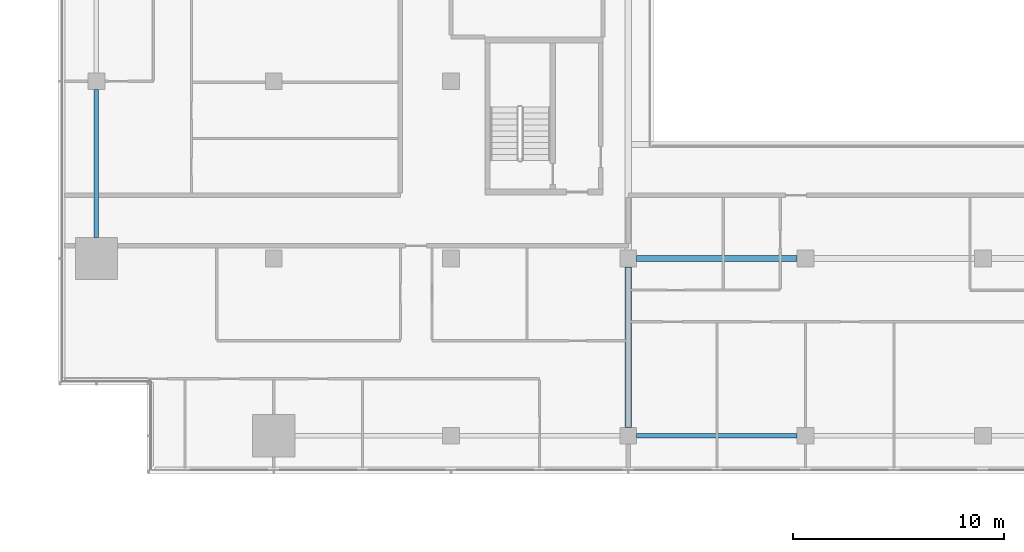
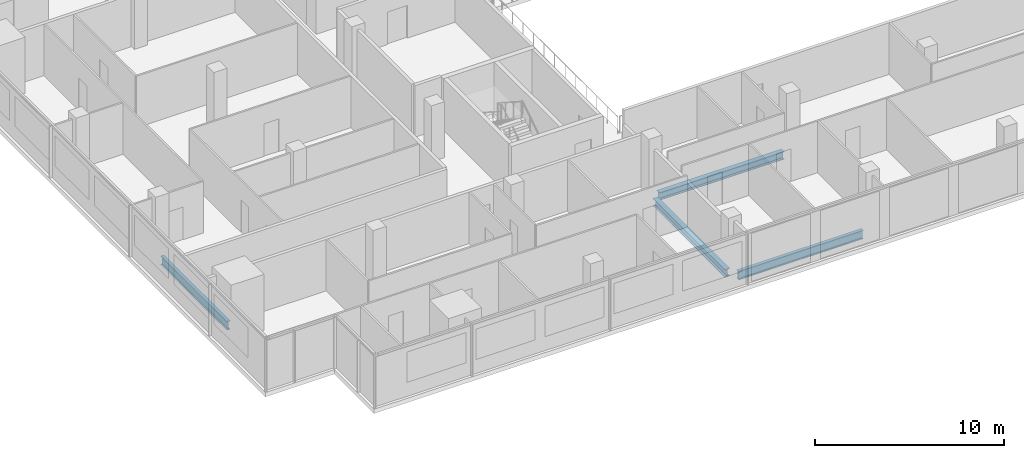
# One storey, part 3 of 30: 4 beams.
"""IFC4 building model written with IfcOpenShell, lengths in metres."""

from ifc_helpers import new_model, si_unit, direction, frame, origin, origin_2d, place, context, subcontext, project, spatial, i_section, extrude, material, material_profile, profile_set, type_object, element, save


model = new_model("IFC4")

# Units and contexts
model_context = context("Model", 3, precision=1e-05, world=origin(), true_north=direction((0.0, 1.0)))
body_context = subcontext(model_context, "Body", "Model", "MODEL_VIEW")
ifc_project = project(units=[si_unit("LENGTHUNIT", "METRE"), si_unit("AREAUNIT", "SQUARE_METRE"), si_unit("VOLUMEUNIT", "CUBIC_METRE"), si_unit("PLANEANGLEUNIT", "RADIAN"), si_unit("MASSUNIT", "GRAM", prefix="KILO")], contexts=[model_context])

# Site, building, storey
site_placement = place(None, origin())
site = spatial("IfcSite", under=ifc_project, at=site_placement, CompositionType="ELEMENT")
building_placement = place(site_placement, origin())
building = spatial("IfcBuilding", under=site, at=building_placement, Name="Saffron Gate Tower", CompositionType="ELEMENT")
storey_placement = place(building_placement, frame((0.0, 0.0, 127.64990234375)))
storey = spatial("IfcBuildingStorey", under=building, at=storey_placement, Name="L30", CompositionType="ELEMENT", Elevation=127.64990234375)

# Beams
ifc_material = material(Name="Structural steel S355", Category="steel")
ifc_material_profile_1 = material_profile(ifc_material, i_section(OverallWidth=0.2099609375, OverallDepth=0.550048828125, WebThickness=0.010986328125, FlangeThickness=0.01708984375, FilletRadius=0.02392578125, at=origin_2d()))
ifc_profile_set_1 = profile_set([ifc_material_profile_1], Name="Structural steel S355")
beam_type_1 = type_object("IfcBeamType", Name="B13 IPE 550", PredefinedType="SPANDREL", material=ifc_profile_set_1)
beam_1_placement = place(storey_placement, frame((49.800048828125, 41.199951171875, -0.554931640625), z_axis=(0.0, 1.0, 0.0), x_axis=(-1.0, 0.0, 0.0)))
element("IfcBeam", 1, at=beam_1_placement, inside=storey, type_object=beam_type_1, Name="B13 SPANDREL BEAM", PredefinedType="SPANDREL", context=body_context, shape_type="SweptSolid", body=[
    extrude(i_section(OverallWidth=0.2099609375, OverallDepth=0.550048828125, WebThickness=0.010986328125, FlangeThickness=0.01708984375, FilletRadius=0.02392578125, at=origin_2d()), origin(), (0.0, 0.0, 1.0), 7.0),
])
beam_2_placement = place(storey_placement, frame((75.39990234375, 31.800048828125, -0.554931640625), z_axis=(1.0, 0.0, 0.0), x_axis=(0.0, 1.0, 0.0)))
element("IfcBeam", 2, at=beam_2_placement, inside=storey, type_object=beam_type_1, Name="B13 SPANDREL BEAM", PredefinedType="SPANDREL", context=body_context, shape_type="SweptSolid", body=[
    extrude(i_section(OverallWidth=0.2099609375, OverallDepth=0.550048828125, WebThickness=0.010986328125, FlangeThickness=0.01708984375, FilletRadius=0.02392578125, at=origin_2d()), origin(), (0.0, 0.0, 1.0), 7.60009765625),
])
ifc_material_profile_2 = material_profile(ifc_material, i_section(OverallWidth=0.300048828125, OverallDepth=0.489990234375, WebThickness=0.011962890625, FlangeThickness=0.02294921875, FilletRadius=0.027099609375, at=origin_2d()))
ifc_profile_set_2 = profile_set([ifc_material_profile_2], Name="Structural steel S355")
beam_type_2 = type_object("IfcBeamType", Name="B8 HEA 500", PredefinedType="BEAM", material=ifc_profile_set_2)
for number, where, z_axis, x_axis, name in (
    (3, (75.0, 32.199951171875, -0.52490234375), (0.0, 1.0, 0.0), (-1.0, 0.0, 0.0), "B8 FLOOR GIRDER"),
    (4, (75.39990234375, 40.199951171875, -0.52490234375), (1.0, 0.0, 0.0), (0.0, 1.0, 0.0), "B8 FLOOR GIRDER"),
):
    element("IfcBeam", number, at=place(storey_placement, frame(where, z_axis=z_axis, x_axis=x_axis)), inside=storey, type_object=beam_type_2, Name=name, PredefinedType="BEAM", context=body_context, shape_type="SweptSolid", body=[
        extrude(i_section(OverallWidth=0.300048828125, OverallDepth=0.489990234375, WebThickness=0.011962890625, FlangeThickness=0.02294921875, FilletRadius=0.027099609375, at=origin_2d()), origin(), (0.0, 0.0, 1.0), 7.60009765625),
    ])

save(model, "model.ifc")
